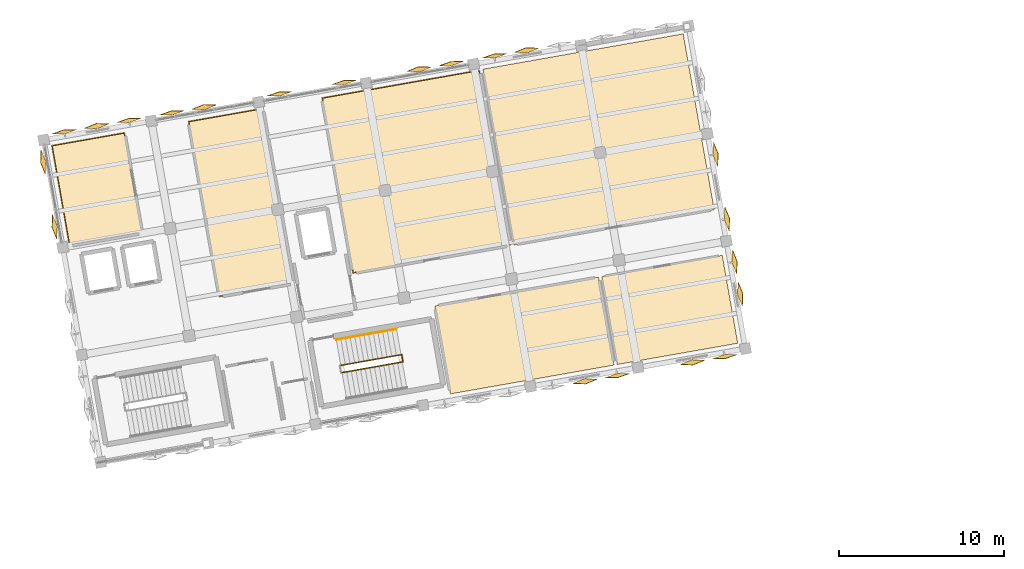
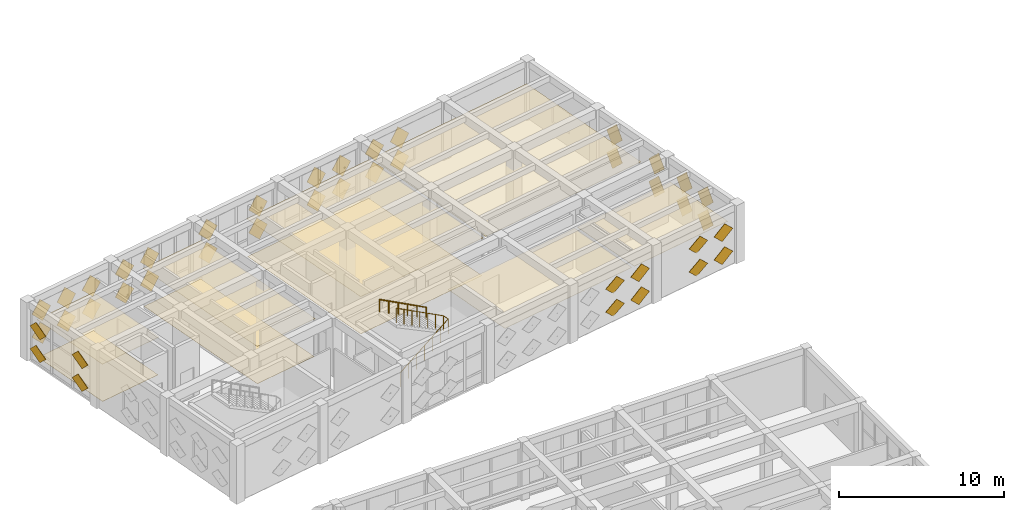
# One storey, part 46 of 48: 51 coverings, 2 railings.
"""IFC4 building model written with IfcOpenShell, lengths in metres."""

import ifcopenshell
import ifcopenshell.guid

model = None  # the IFC model being written
_history = None  # IfcOwnerHistory: only IFC2X3 demands one
_inside = {}  # id of a spatial element -> (the spatial element, [elements in it])
_under = {}  # id of a project, library or spatial element -> (it, [spatial elements below it])
_declared = {}  # id of a project -> (the project, [libraries it declares])
_typed = {}  # id of a type object -> (the type object, [elements of that type])
_made_of = {}  # id of a material, layer set ... -> (it, [elements and type objects made of it])


def new_model(schema):
    """Start an empty IFC model of exactly this schema.

    Asked for "IFC4X3", IfcOpenShell would pick the latest addendum, in which some entities
    have other attributes; the version numbers below select the first issue.
    IFC2X3 requires an IfcOwnerHistory on every rooted entity: one is made here for all.
    """
    global model, _history
    if schema == "IFC4X3":
        model = ifcopenshell.file(schema_version=(4, 3, 0, 0))
    else:
        model = ifcopenshell.file(schema=schema)
    _inside.clear()
    _under.clear()
    _declared.clear()
    _typed.clear()
    _made_of.clear()
    _history = None
    if model.schema == "IFC2X3":
        org = make("IfcOrganization", Name="unknown")
        user = make(
            "IfcPersonAndOrganization",
            ThePerson=make("IfcPerson", FamilyName="unknown"),
            TheOrganization=org,
        )
        app = make(
            "IfcApplication",
            ApplicationDeveloper=org,
            Version="unknown",
            ApplicationFullName="unknown",
            ApplicationIdentifier="unknown",
        )
        _history = make(
            "IfcOwnerHistory",
            OwningUser=user,
            OwningApplication=app,
            ChangeAction="ADDED",
            CreationDate=0,
        )
    return model


def make(cls, **values):
    """One entity of the class cls with the attributes given. An attribute that is None is left unset."""
    return model.create_entity(
        cls, **{name: value for name, value in values.items() if value is not None}
    )


def rooted(cls, **values):
    """An entity with a GlobalId (a new one), such as an element, a storey or a relation."""
    return make(cls, GlobalId=ifcopenshell.guid.new(), OwnerHistory=_history, **values)


def si_unit(unit_type, name, prefix=None):
    """IfcSIUnit, for example si_unit("LENGTHUNIT", "METRE", prefix="MILLI")."""
    return make("IfcSIUnit", UnitType=unit_type, Prefix=prefix, Name=name)


def assignment(units):
    """IfcUnitAssignment: the units of a project."""
    return None if units is None else make("IfcUnitAssignment", Units=units)


def point(xyz):
    """IfcCartesianPoint."""
    return None if xyz is None else make("IfcCartesianPoint", Coordinates=xyz)


def direction(xyz):
    """IfcDirection."""
    return None if xyz is None else make("IfcDirection", DirectionRatios=xyz)


def frame(location, z_axis=None, x_axis=None):
    """IfcAxis2Placement3D, a coordinate frame: its origin and axes. An axis left out is left unset."""
    return make(
        "IfcAxis2Placement3D",
        Location=point(location),
        Axis=direction(z_axis),
        RefDirection=direction(x_axis),
    )


def frame_2d(location, x_axis=None):
    """IfcAxis2Placement2D, a coordinate frame in the plane: its origin and x axis."""
    return make(
        "IfcAxis2Placement2D", Location=point(location), RefDirection=direction(x_axis)
    )


def origin():
    """The frame at (0, 0, 0) with its axes left unset."""
    return frame((0.0, 0.0, 0.0))


def origin_2d():
    """The frame at (0, 0) in the plane with its x axis left unset."""
    return frame_2d((0.0, 0.0))


def place(relative_to, where):
    """IfcLocalPlacement: puts the frame where relative to a parent placement (None: the world)."""
    return make(
        "IfcLocalPlacement", PlacementRelTo=relative_to, RelativePlacement=where
    )


def context(
    kind, dimensions, precision=None, world=None, true_north=None, identifier=None
):
    """IfcGeometricRepresentationContext, for example the 3D "Model" context."""
    return make(
        "IfcGeometricRepresentationContext",
        ContextIdentifier=identifier,
        ContextType=kind,
        CoordinateSpaceDimension=dimensions,
        Precision=precision,
        WorldCoordinateSystem=world,
        TrueNorth=true_north,
    )


def subcontext(parent, identifier, kind, view, scale=None):
    """IfcGeometricRepresentationSubContext, for example "Body" below "Model"."""
    return make(
        "IfcGeometricRepresentationSubContext",
        ContextIdentifier=identifier,
        ContextType=kind,
        ParentContext=parent,
        TargetScale=scale,
        TargetView=view,
    )


def project(units=None, contexts=None):
    """IfcProject with its units and contexts."""
    return rooted(
        "IfcProject",
        Name="project",
        RepresentationContexts=contexts,
        UnitsInContext=assignment(units),
    )


def spatial(cls, under=None, at=None, **own):
    """A site, building, storey or space (cls), placed at a placement, below another one or the project."""
    s = rooted(cls, ObjectPlacement=at, **own)
    if under is not None:
        _under.setdefault(under.id(), (under, []))[1].append(s)
    return s


def polyline(points):
    """IfcPolyline through the points."""
    return make("IfcPolyline", Points=[point(p) for p in points])


def profile(cls, at=None, kind="AREA", **sizes):
    """A parametric profile (cls). Its sizes go by their IFC names, for example OverallWidth=200.0."""
    return make(cls, ProfileType=kind, Position=at, **sizes)


def circle(**sizes):
    """IfcCircleProfileDef."""
    return profile("IfcCircleProfileDef", **sizes)


def outline(outer, holes=None, kind="AREA"):
    """IfcArbitraryClosedProfileDef: a profile drawn as a closed curve; with holes, ...WithVoids."""
    if holes is None:
        return make("IfcArbitraryClosedProfileDef", ProfileType=kind, OuterCurve=outer)
    return make(
        "IfcArbitraryProfileDefWithVoids",
        ProfileType=kind,
        OuterCurve=outer,
        InnerCurves=holes,
    )


def extrude(swept, where, along, depth):
    """IfcExtrudedAreaSolid: the profile swept, set in the frame where, extruded along a direction by depth."""
    return make(
        "IfcExtrudedAreaSolid",
        SweptArea=swept,
        Position=where,
        ExtrudedDirection=direction(along),
        Depth=depth,
    )


def shape(context_of_items, identifier, shape_type, items):
    """IfcShapeRepresentation: the items that make up one representation, for example the "Body"."""
    return make(
        "IfcShapeRepresentation",
        ContextOfItems=context_of_items,
        RepresentationIdentifier=identifier,
        RepresentationType=shape_type,
        Items=items,
    )


def material(Name=None, Category=None):
    """IfcMaterial."""
    return make("IfcMaterial", Name=Name, Category=Category)


def layer(
    of_material, thickness, ventilated=None, Name=None, Category=None, Priority=None
):
    """IfcMaterialLayer: one layer of a wall or slab, of a material (None: an air gap)."""
    return make(
        "IfcMaterialLayer",
        Material=of_material,
        LayerThickness=thickness,
        IsVentilated=ventilated,
        Name=Name,
        Category=Category,
        Priority=Priority,
    )


def layer_set(layers, Name=None):
    """IfcMaterialLayerSet."""
    return make("IfcMaterialLayerSet", MaterialLayers=layers, LayerSetName=Name)


def made_of(thing, what):
    """Note that an element or type object is made of a material, layer set ...; save() writes the relation."""
    if what is not None:
        _made_of.setdefault(what.id(), (what, []))[1].append(thing)
    return thing


def type_object(cls, material=None, **own):
    """A type object (cls), such as IfcWallType, which elements share."""
    return made_of(rooted(cls, **own), material)


def element(
    cls,
    number,
    at=None,
    inside=None,
    cuts=None,
    type_object=None,
    material=None,
    context=None,
    identifier="Body",
    shape_type=None,
    held_by="IfcProductDefinitionShape",
    body=None,
    shapes=None,
    **own,
):
    """One element of the class cls, such as IfcWall. Its Tag is "e" and its number.

    at: its placement. inside: the storey or other place that contains it. cuts: it is an
    opening in that element (IfcRelVoidsElement). A single representation is given by context,
    identifier, shape_type and body (its items); several are given by shapes. held_by: the class
    of the entity that holds the representations. save() writes the other relations.
    """
    e = rooted(cls, Tag="e%d" % number, ObjectPlacement=at, **own)
    if body is not None:
        shapes = [shape(context, identifier, shape_type, body)]
    if shapes is not None:
        e.Representation = make(held_by, Representations=shapes)
    if inside is not None:
        _inside.setdefault(inside.id(), (inside, []))[1].append(e)
    if cuts is not None:
        rooted(
            "IfcRelVoidsElement", RelatingBuildingElement=cuts, RelatedOpeningElement=e
        )
    if type_object is not None:
        _typed.setdefault(type_object.id(), (type_object, []))[1].append(e)
    return made_of(e, material)


def aggregate(whole, parts):
    """IfcRelAggregates: a whole, such as a stair, and the parts it consists of."""
    return rooted("IfcRelAggregates", RelatingObject=whole, RelatedObjects=parts)


def save(model, path):
    """Write the relations noted so far, then the file.

    IfcRelAggregates (storeys below a building ...), IfcRelContainedInSpatialStructure (elements
    in a storey), IfcRelDefinesByType, IfcRelAssociatesMaterial and IfcRelDeclares: one each for
    every whole, place, type object, material and project.
    """
    for whole, parts in _under.values():
        aggregate(whole, parts)
    for where, things in _inside.values():
        rooted(
            "IfcRelContainedInSpatialStructure",
            RelatedElements=things,
            RelatingStructure=where,
        )
    for kind, things in _typed.values():
        rooted("IfcRelDefinesByType", RelatedObjects=things, RelatingType=kind)
    for what, things in _made_of.values():
        rooted("IfcRelAssociatesMaterial", RelatedObjects=things, RelatingMaterial=what)
    for by, libraries in _declared.values():
        rooted("IfcRelDeclares", RelatingContext=by, RelatedDefinitions=libraries)
    model.write(path)


model = new_model("IFC4")

# Units and contexts
model_context = context("Model", 3, precision=1e-05, world=origin(), true_north=direction((0.0, 1.0)))
body_context = subcontext(model_context, "Body", "Model", "MODEL_VIEW")
ifc_project = project(units=[si_unit("LENGTHUNIT", "METRE"), si_unit("AREAUNIT", "SQUARE_METRE"), si_unit("VOLUMEUNIT", "CUBIC_METRE"), si_unit("PLANEANGLEUNIT", "RADIAN"), si_unit("MASSUNIT", "GRAM", prefix="KILO")], contexts=[model_context])

# Site, building, storey
site_placement = place(None, origin())
site = spatial("IfcSite", under=ifc_project, at=site_placement, CompositionType="ELEMENT")
building_placement = place(site_placement, origin())
building = spatial("IfcBuilding", under=site, at=building_placement, Name="Kharisveld Research Institute", CompositionType="ELEMENT")
storey_placement = place(building_placement, frame((0.0, 0.0, 14.10009765625)))
storey = spatial("IfcBuildingStorey", under=building, at=storey_placement, Name="L03", CompositionType="ELEMENT", Elevation=14.10009765625)

# Coverings
ifc_material_1 = material(Name="Mineral-Fibre Acoustic Ceiling", Category="mineral")
ifc_layer_1 = layer(ifc_material_1, 0.02490234375)
ifc_layer_set_1 = layer_set([ifc_layer_1], Name="CV_CEIL_AC")
covering_type_1 = type_object("IfcCoveringType", Name="CV_CEIL_AC", PredefinedType="CEILING", material=ifc_layer_set_1)
covering_1_placement = place(storey_placement, frame((0.0, 0.0, 2.7998046875)))
element("IfcCovering", 1, at=covering_1_placement, inside=storey, type_object=covering_type_1, Name="COV:RM:V1:L03:NW:CEIL", PredefinedType="CEILING", context=body_context, shape_type="SweptSolid", body=[
    extrude(outline(polyline([(3.3017578125, 48.078857421875), (7.7333984375, 48.8603515625), (6.65673828125, 54.966064453125), (2.22509765625, 54.184814453125), (3.3017578125, 48.078857421875)])), origin(), (0.0, 0.0, 1.0), 0.025146484375),
])
covering_2_placement = place(storey_placement, frame((0.0, 0.0, 2.7998046875)))
element("IfcCovering", 2, at=covering_2_placement, inside=storey, type_object=covering_type_1, Name="COV:RM:V1:L03:N1:CEIL", PredefinedType="CEILING", context=body_context, shape_type="SweptSolid", body=[
    extrude(outline(polyline([(12.373046875, 45.007568359375), (16.903076171875, 45.80615234375), (15.027587890625, 56.442138671875), (10.49755859375, 55.643310546875), (12.373046875, 45.007568359375)])), origin(), (0.0, 0.0, 1.0), 0.025146484375),
])
covering_3_placement = place(storey_placement, frame((0.0, 0.0, 2.7998046875)))
element("IfcCovering", 3, at=covering_3_placement, inside=storey, type_object=covering_type_1, Name="COV:RM:V1:L03:N2:CEIL", PredefinedType="CEILING", context=body_context, shape_type="SweptSolid", body=[
    extrude(outline(polyline([(20.4482421875, 46.431396484375), (30.0009765625, 48.11572265625), (28.12548828125, 58.751708984375), (18.572998046875, 57.0673828125), (20.4482421875, 46.431396484375)])), origin(), (0.0, 0.0, 1.0), 0.025146484375),
])
covering_4_placement = place(storey_placement, frame((0.0, 0.0, 2.7998046875)))
element("IfcCovering", 4, at=covering_4_placement, inside=storey, type_object=covering_type_1, Name="COV:RM:V1:L03:N3:CEIL", PredefinedType="CEILING", context=body_context, shape_type="SweptSolid", body=[
    extrude(outline(polyline([(30.197998046875, 48.150390625), (42.31103515625, 50.286376953125), (40.435791015625, 60.92236328125), (28.322509765625, 58.786376953125), (30.197998046875, 48.150390625)])), origin(), (0.0, 0.0, 1.0), 0.025146484375),
])
covering_5_placement = place(storey_placement, frame((0.0, 0.0, 2.7998046875)))
element("IfcCovering", 5, at=covering_5_placement, inside=storey, type_object=covering_type_1, Name="COV:RM:V1:L03:S1:CEIL", PredefinedType="CEILING", context=body_context, shape_type="SweptSolid", body=[
    extrude(outline(polyline([(26.35302734375, 39.14599609375), (36.25048828125, 40.89111328125), (35.312744140625, 46.209228515625), (25.41552734375, 44.464111328125), (26.35302734375, 39.14599609375)])), origin(), (0.0, 0.0, 1.0), 0.025146484375),
])
covering_6_placement = place(storey_placement, frame((0.0, 0.0, 2.7998046875)))
element("IfcCovering", 6, at=covering_6_placement, inside=storey, type_object=covering_type_1, Name="COV:RM:V1:L03:S2:CEIL", PredefinedType="CEILING", context=body_context, shape_type="SweptSolid", body=[
    extrude(outline(polyline([(36.447509765625, 40.926025390625), (43.735107421875, 42.2109375), (42.79736328125, 47.52880859375), (35.509765625, 46.243896484375), (36.447509765625, 40.926025390625)])), origin(), (0.0, 0.0, 1.0), 0.025146484375),
])
ifc_material_2 = material(Name="Seamless Chemical-Resistant Epoxy", Category="mineral")
ifc_layer_2 = layer(ifc_material_2, 0.014892578125)
ifc_layer_set_2 = layer_set([ifc_layer_2], Name="CV_FLR_EPX")
covering_type_2 = type_object("IfcCoveringType", Name="CV_FLR_EPX", PredefinedType="FLOORING", material=ifc_layer_set_2)
covering_7_placement = place(storey_placement, origin())
element("IfcCovering", 7, at=covering_7_placement, inside=storey, type_object=covering_type_2, Name="COV:RM:V1:L03:NW:FLR", PredefinedType="FLOORING", context=body_context, shape_type="SweptSolid", body=[
    extrude(outline(polyline([(3.34228515625, 48.136962890625), (7.675537109375, 48.90087890625), (6.6162109375, 54.908203125), (2.282958984375, 54.144287109375), (3.34228515625, 48.136962890625)])), origin(), (0.0, 0.0, 1.0), 0.014892578125),
])
covering_8_placement = place(storey_placement, origin())
element("IfcCovering", 8, at=covering_8_placement, inside=storey, type_object=covering_type_2, Name="COV:RM:V1:L03:N1:FLR", PredefinedType="FLOORING", context=body_context, shape_type="SweptSolid", body=[
    extrude(outline(polyline([(12.41357421875, 45.0654296875), (16.84521484375, 45.8466796875), (14.987060546875, 56.38427734375), (10.555419921875, 55.602783203125), (12.41357421875, 45.0654296875)])), origin(), (0.0, 0.0, 1.0), 0.014892578125),
])
covering_9_placement = place(storey_placement, origin())
element("IfcCovering", 9, at=covering_9_placement, inside=storey, type_object=covering_type_2, Name="COV:RM:V1:L03:N2:FLR", PredefinedType="FLOORING", context=body_context, shape_type="SweptSolid", body=[
    extrude(outline(polyline([(20.489013671875, 46.4892578125), (29.943115234375, 48.15625), (28.0849609375, 58.69384765625), (18.630859375, 57.026611328125), (20.489013671875, 46.4892578125)])), origin(), (0.0, 0.0, 1.0), 0.014892578125),
])

# Railings
ifc_material_3 = material(Name="Steel S355JR", Category="steel")
railing_type_1 = type_object("IfcRailingType", Name="RL_GRD_STR", PredefinedType="GUARDRAIL", material=ifc_material_3)
railing_1_placement = place(storey_placement, frame((19.79931640625, 40.4375, 0.0)))
element("IfcRailing", 10, at=railing_1_placement, inside=storey, type_object=railing_type_1, Name="RLG:ST2:L03:GRD_SLOT", PredefinedType="GUARDRAIL", context=body_context, shape_type="SweptSolid", body=[
    extrude(circle(Radius=0.02392578125, at=origin_2d()), frame((0.0, 0.0, 1.09619140625), z_axis=(0.844157266411, 0.148870313632, 0.515010814726), x_axis=(-0.173673761132, 0.984803241614, 0.0)), (0.0, 0.0, 1.0), 4.368896484375),
    extrude(circle(Radius=0.02392578125, at=origin_2d()), frame((3.68798828125, 0.650390625, 3.34619140625), z_axis=(-0.173658729201, 0.984805892434, 0.0), x_axis=(-0.984805892434, -0.173658729201, 0.0)), (0.0, 0.0, 1.0), 0.43994140625),
    extrude(circle(Radius=0.02392578125, at=origin_2d()), frame((3.611572265625, 1.083740234375, 3.34619140625), z_axis=(-0.844157266411, -0.148870313632, 0.515010814726), x_axis=(0.173673761132, -0.984803241614, 0.0)), (0.0, 0.0, 1.0), 4.368896484375),
    extrude(circle(Radius=0.02099609375, at=origin_2d()), origin(), (0.0, 0.0, 1.0), 1.072021484375),
    extrude(circle(Radius=0.02099609375, at=origin_2d()), frame((0.61474609375, 0.1083984375, 0.375)), (0.0, 0.0, 1.0), 1.072021484375),
    extrude(circle(Radius=0.02099609375, at=origin_2d()), frame((1.229248046875, 0.216796875, 0.75)), (0.0, 0.0, 1.0), 1.072021484375),
    extrude(circle(Radius=0.02099609375, at=origin_2d()), frame((1.843994140625, 0.3251953125, 1.125)), (0.0, 0.0, 1.0), 1.072021484375),
    extrude(circle(Radius=0.02099609375, at=origin_2d()), frame((2.458740234375, 0.43359375, 1.5)), (0.0, 0.0, 1.0), 1.072021484375),
    extrude(circle(Radius=0.02099609375, at=origin_2d()), frame((3.0732421875, 0.5419921875, 1.875)), (0.0, 0.0, 1.0), 1.072021484375),
    extrude(circle(Radius=0.02099609375, at=origin_2d()), frame((3.68798828125, 0.650390625, 2.25)), (0.0, 0.0, 1.0), 1.072021484375),
    extrude(circle(Radius=0.02099609375, at=origin_2d()), frame((3.611572265625, 1.083740234375, 2.25)), (0.0, 0.0, 1.0), 1.072021484375),
    extrude(circle(Radius=0.02099609375, at=origin_2d()), frame((2.996826171875, 0.975341796875, 2.625)), (0.0, 0.0, 1.0), 1.072021484375),
    extrude(circle(Radius=0.02099609375, at=origin_2d()), frame((2.38232421875, 0.866943359375, 3.0)), (0.0, 0.0, 1.0), 1.072021484375),
    extrude(circle(Radius=0.02099609375, at=origin_2d()), frame((1.767578125, 0.758544921875, 3.375)), (0.0, 0.0, 1.0), 1.072021484375),
    extrude(circle(Radius=0.02099609375, at=origin_2d()), frame((1.15283203125, 0.650146484375, 3.75)), (0.0, 0.0, 1.0), 1.072021484375),
    extrude(circle(Radius=0.02099609375, at=origin_2d()), frame((0.538330078125, 0.541748046875, 4.125)), (0.0, 0.0, 1.0), 1.072021484375),
    extrude(circle(Radius=0.02099609375, at=origin_2d()), frame((-0.076416015625, 0.433349609375, 4.5)), (0.0, 0.0, 1.0), 1.072021484375),
])
ifc_material_4 = material(Name="Stainless Steel 316", Category="steel")
railing_type_2 = type_object("IfcRailingType", Name="RL_HND_STR", PredefinedType="HANDRAIL", material=ifc_material_4)
railing_2_placement = place(storey_placement, frame((23.09716796875, 43.0703125, 2.25)))
element("IfcRailing", 11, at=railing_2_placement, inside=storey, type_object=railing_type_2, Name="RLG:ST2:L03:HR2", PredefinedType="HANDRAIL", context=body_context, shape_type="SweptSolid", body=[
    extrude(circle(Radius=0.02392578125, at=origin_2d()), frame((0.0, 0.0, 0.89599609375), z_axis=(-0.841746897377, -0.148411045473, 0.519072559801), x_axis=(0.173634966033, -0.984810082488, 0.0)), (0.0, 0.0, 1.0), 4.334716796875),
    extrude(circle(Radius=0.02099609375, at=origin_2d()), origin(), (0.0, 0.0, 1.0), 0.871826171875),
    extrude(circle(Radius=0.02099609375, at=origin_2d()), frame((-0.729736328125, -0.128662109375, 0.449951171875)), (0.0, 0.0, 1.0), 0.871826171875),
    extrude(circle(Radius=0.02099609375, at=origin_2d()), frame((-1.45947265625, -0.25732421875, 0.89990234375)), (0.0, 0.0, 1.0), 0.871826171875),
    extrude(circle(Radius=0.02099609375, at=origin_2d()), frame((-2.189208984375, -0.385986328125, 1.35009765625)), (0.0, 0.0, 1.0), 0.871826171875),
    extrude(circle(Radius=0.02099609375, at=origin_2d()), frame((-2.9189453125, -0.5146484375, 1.800048828125)), (0.0, 0.0, 1.0), 0.871826171875),
    extrude(circle(Radius=0.02099609375, at=origin_2d()), frame((-3.648681640625, -0.643310546875, 2.25)), (0.0, 0.0, 1.0), 0.871826171875),
])

# Coverings
ifc_material_5 = material(Name="White Powder-Coated Perforated Aluminium", Category="aluminium")
covering_type_3 = type_object("IfcCoveringType", Name="CV_DIA_105", PredefinedType="CLADDING")
for number, where, z_axis, x_axis, name in (
    (12, (2.58203125, 49.28564453125, 0.324951171875), (0.961442649282, 0.16952470156, 0.216539621552), (-0.273578570302, 0.66970617229, 0.690397283213), "SHD:V1:L03:W2:S0C0"),
    (13, (2.58203125, 49.28564453125, 2.025146484375), (0.961442649282, 0.16952470156, 0.216539621552), (-0.273578570302, 0.66970617229, 0.690397283213), "SHD:V1:L03:W2:S0C1"),
):
    element("IfcCovering", number, at=place(storey_placement, frame(where, z_axis=z_axis, x_axis=x_axis)), inside=storey, type_object=covering_type_3, material=ifc_material_5, Name=name, PredefinedType="CLADDING", context=body_context, shape_type="SweptSolid", body=[
        extrude(outline(polyline([(0.0, 0.0), (1.0498710226392558, 0.0), (1.0500604882684064, 1.0499603061510638), (0.00012267398601040203, 1.0499534754558235), (0.0, 0.0)])), origin(), (0.0, 0.0, -1.0), 0.02392578125),
    ])
for number, where, z_axis, x_axis, name in (
    (14, (1.89208984375, 53.198486328125, 0.324951171875), (0.961425979727, 0.169653966706, 0.216512394765), (-0.27364360613, 0.669810730042, 0.69027006508), "SHD:V1:L03:W2:S2C0"),
    (15, (1.89208984375, 53.198486328125, 2.025146484375), (0.961425979727, 0.169653966706, 0.216512394765), (-0.27364360613, 0.669810730042, 0.69027006508), "SHD:V1:L03:W2:S2C1"),
):
    element("IfcCovering", number, at=place(storey_placement, frame(where, z_axis=z_axis, x_axis=x_axis)), inside=storey, type_object=covering_type_3, material=ifc_material_5, Name=name, PredefinedType="CLADDING", context=body_context, shape_type="SweptSolid", body=[
        extrude(outline(polyline([(0.0, 0.0), (1.0501013332243323, 1.1102230246251565e-16), (1.050054335240126, 1.049953488129867), (-4.699798420648715e-05, 1.049953488129867), (0.0, 0.0)])), origin(), (0.0, 0.0, -1.0), 0.02392578125),
    ])
covering_10_placement = place(storey_placement, frame((3.03125, 54.87255859375, 0.317626953125), z_axis=(0.171391321025, -0.971271535422, 0.16509578903), x_axis=(0.676154491616, 0.237843352225, 0.697313160116)))
element("IfcCovering", 16, at=covering_10_placement, inside=storey, type_object=covering_type_3, material=ifc_material_5, Name="SHD:V1:L03:N0:S0C0", PredefinedType="CLADDING", context=body_context, shape_type="SweptSolid", body=[
    extrude(outline(polyline([(0.0, 0.0), (1.050003217317155, -1.1102230246251565e-16), (1.0499897073592166, 1.0500851275961767), (-0.00018375242866985886, 1.0499148410000858), (0.0, 0.0)])), origin(), (0.0, 0.0, -1.0), 0.02392578125),
])
covering_11_placement = place(storey_placement, frame((3.03125, 54.87255859375, 2.017578125), z_axis=(0.171391321025, -0.971271535422, 0.16509578903), x_axis=(0.676038293912, 0.237842070836, 0.697426250226)))
element("IfcCovering", 17, at=covering_11_placement, inside=storey, type_object=covering_type_3, material=ifc_material_5, Name="SHD:V1:L03:N0:S0C1", PredefinedType="CLADDING", context=body_context, shape_type="SweptSolid", body=[
    extrude(outline(polyline([(0.0, 0.0), (1.0501734735939505, -1.1102230246251565e-16), (1.0501599658262741, 1.049914856993047), (0.00015676231294525778, 1.0500851159819262), (0.0, 0.0)])), origin(), (0.0, 0.0, -1.0), 0.02392578125),
])
for number, where, z_axis, x_axis, name in (
    (18, (4.994384765625, 55.179931640625, 0.324951171875), (0.169497253476, -0.961447488939, 0.216539620108), (0.669826337005, 0.273555095257, 0.690290002907), "SHD:V1:L03:N0:S1C0"),
    (19, (4.994384765625, 55.179931640625, 2.025146484375), (0.169497253476, -0.961447488939, 0.216539620108), (0.669826337005, 0.273555095257, 0.690290002907), "SHD:V1:L03:N0:S1C1"),
):
    element("IfcCovering", number, at=place(storey_placement, frame(where, z_axis=z_axis, x_axis=x_axis)), inside=storey, type_object=covering_type_3, material=ifc_material_5, Name=name, PredefinedType="CLADDING", context=body_context, shape_type="SweptSolid", body=[
        extrude(outline(polyline([(0.0, 0.0), (1.0501013287743868, 0.0), (1.0498908116789152, 1.0501299715118642), (1.9800637014233402e-05, 1.0499603251677767), (0.0, 0.0)])), origin(), (0.0, 0.0, -1.0), 0.02392578125),
    ])
covering_12_placement = place(storey_placement, frame((6.9443359375, 55.5625, 0.317626953125), z_axis=(0.171260983897, -0.971289803558, 0.165123568578), x_axis=(0.676047594671, 0.237771051008, 0.69744145062)))
element("IfcCovering", 20, at=covering_12_placement, inside=storey, type_object=covering_type_3, material=ifc_material_5, Name="SHD:V1:L03:N0:S2C0", PredefinedType="CLADDING", context=body_context, shape_type="SweptSolid", body=[
    extrude(outline(polyline([(0.0, 0.0), (1.0498381477776833, -1.1102230246251565e-16), (1.0499996344353992, 1.0500851062964023), (4.926243906100414e-05, 1.0499129451252003), (0.0, 0.0)])), origin(), (0.0, 0.0, -1.0), 0.02392578125),
])
covering_13_placement = place(storey_placement, frame((6.9443359375, 55.5625, 2.017578125), z_axis=(0.171260983897, -0.971289803558, 0.165123568578), x_axis=(0.67593137977, 0.237769781024, 0.697554514769)))
element("IfcCovering", 21, at=covering_13_placement, inside=storey, type_object=covering_type_3, material=ifc_material_5, Name="SHD:V1:L03:N0:S2C1", PredefinedType="CLADDING", context=body_context, shape_type="SweptSolid", body=[
    extrude(outline(polyline([(0.0, 0.0), (1.0500084353722339, -1.1102230246251565e-16), (1.0501698867361986, 1.0499148402477598), (0.00038980202211746917, 1.050083149396377), (0.0, 0.0)])), origin(), (0.0, 0.0, -1.0), 0.02392578125),
])
covering_14_placement = place(storey_placement, frame((9.531005859375, 56.018798828125, 0.317626953125), z_axis=(0.171238636855, -0.971325222312, 0.164938296792), x_axis=(0.676191865964, 0.23762399085, 0.697351704219)))
element("IfcCovering", 22, at=covering_14_placement, inside=storey, type_object=covering_type_3, material=ifc_material_5, Name="SHD:V1:L03:N1:S0C0", PredefinedType="CLADDING", context=body_context, shape_type="SweptSolid", body=[
    extrude(outline(polyline([(0.0, 0.0), (1.0499451723202433, -1.1102230246251565e-16), (1.0499335917706356, 1.0500851276195962), (-0.00018183243052050102, 1.0499148413347306), (0.0, 0.0)])), origin(), (0.0, 0.0, -1.0), 0.02392578125),
])
covering_15_placement = place(storey_placement, frame((9.531005859375, 56.018798828125, 2.017578125), z_axis=(0.171238636855, -0.971325222312, 0.164938296792), x_axis=(0.676075661849, 0.237622709321, 0.697464800165)))
element("IfcCovering", 23, at=covering_15_placement, inside=storey, type_object=covering_type_3, material=ifc_material_5, Name="SHD:V1:L03:N1:S0C1", PredefinedType="CLADDING", context=body_context, shape_type="SweptSolid", body=[
    extrude(outline(polyline([(0.0, 0.0), (1.050115438007933, 0.0), (1.0501038593359955, 1.049914857016463), (0.00015870082029023624, 1.050085115691115), (0.0, 0.0)])), origin(), (0.0, 0.0, -1.0), 0.02392578125),
])
for number, where, z_axis, x_axis, name in (
    (24, (11.494140625, 56.326171875, 0.324951171875), (0.169503194288, -0.961481187298, 0.216385289699), (0.669849989418, 0.273447448775, 0.690309701826), "SHD:V1:L03:N1:S1C0"),
    (25, (11.494140625, 56.326171875, 2.025146484375), (0.169503194288, -0.961481187298, 0.216385289699), (0.669849989418, 0.273447448775, 0.690309701826), "SHD:V1:L03:N1:S1C1"),
):
    element("IfcCovering", number, at=place(storey_placement, frame(where, z_axis=z_axis, x_axis=x_axis)), inside=storey, type_object=covering_type_3, material=ifc_material_5, Name=name, PredefinedType="CLADDING", context=body_context, shape_type="SweptSolid", body=[
        extrude(outline(polyline([(0.0, 0.0), (1.0500345517563856, -1.1102230246251565e-16), (1.0498172010450848, 1.0501299743656882), (-5.381311622809637e-05, 1.0499534875988095), (0.0, 0.0)])), origin(), (0.0, 0.0, -1.0), 0.02392578125),
    ])
covering_16_placement = place(storey_placement, frame((16.03076171875, 57.164794921875, 0.317626953125), z_axis=(0.171234061711, -0.9712992705, 0.165095800177), x_axis=(0.676172534966, 0.237733660148, 0.69733306948)))
element("IfcCovering", 26, at=covering_16_placement, inside=storey, type_object=covering_type_3, material=ifc_material_5, Name="SHD:V1:L03:N2:S0C0", PredefinedType="CLADDING", context=body_context, shape_type="SweptSolid", body=[
    extrude(outline(polyline([(0.0, 0.0), (1.049945167901042, 2.220446049250313e-16), (1.0499916144071415, 1.0500832207180806), (-0.0001818412696886762, 1.0499148369138707), (0.0, 0.0)])), origin(), (0.0, 0.0, -1.0), 0.02392578125),
])
covering_17_placement = place(storey_placement, frame((16.03076171875, 57.164794921875, 2.017578125), z_axis=(0.171234061711, -0.9712992705, 0.165095800177), x_axis=(0.67605633082, 0.237732396439, 0.697446159385)))
element("IfcCovering", 27, at=covering_17_placement, inside=storey, type_object=covering_type_3, material=ifc_material_5, Name="SHD:V1:L03:N2:S0C1", PredefinedType="CLADDING", context=body_context, shape_type="SweptSolid", body=[
    extrude(outline(polyline([(0.0, 0.0), (1.050115429038497, -1.1102230246251565e-16), (1.0501618771158647, 1.0499129452537745), (0.00015868288277420817, 1.050085106724131), (0.0, 0.0)])), origin(), (0.0, 0.0, -1.0), 0.02392578125),
])
covering_18_placement = place(storey_placement, frame((19.943603515625, 57.854736328125, 0.317626953125), z_axis=(0.171234061711, -0.9712992705, 0.165095800177), x_axis=(0.676172534966, 0.237733660148, 0.69733306948)))
element("IfcCovering", 28, at=covering_18_placement, inside=storey, type_object=covering_type_3, material=ifc_material_5, Name="SHD:V1:L03:N2:S2C0", PredefinedType="CLADDING", context=body_context, shape_type="SweptSolid", body=[
    extrude(outline(polyline([(0.0, 0.0), (1.049945167901042, 2.220446049250313e-16), (1.0499916144071415, 1.0500832207180806), (-0.0001818412696886762, 1.0499148369138707), (0.0, 0.0)])), origin(), (0.0, 0.0, -1.0), 0.02392578125),
])
covering_19_placement = place(storey_placement, frame((19.943603515625, 57.854736328125, 2.017578125), z_axis=(0.171234061711, -0.9712992705, 0.165095800177), x_axis=(0.67605633082, 0.237732396439, 0.697446159385)))
element("IfcCovering", 29, at=covering_19_placement, inside=storey, type_object=covering_type_3, material=ifc_material_5, Name="SHD:V1:L03:N2:S2C1", PredefinedType="CLADDING", context=body_context, shape_type="SweptSolid", body=[
    extrude(outline(polyline([(0.0, 0.0), (1.050115429038497, -1.1102230246251565e-16), (1.0501618771158647, 1.0499129452537745), (0.00015868288277420817, 1.050085106724131), (0.0, 0.0)])), origin(), (0.0, 0.0, -1.0), 0.02392578125),
])
for number, where, z_axis, x_axis, name in (
    (30, (24.49365234375, 58.6181640625, 0.324951171875), (0.169497253476, -0.961447488939, 0.216539620108), (0.669704807286, 0.273559805143, 0.690406042925), "SHD:V1:L03:N3:S1C0"),
    (31, (24.49365234375, 58.6181640625, 2.025146484375), (0.169497253476, -0.961447488939, 0.216539620108), (0.669704807286, 0.273559805143, 0.690406042925), "SHD:V1:L03:N3:S1C1"),
):
    element("IfcCovering", number, at=place(storey_placement, frame(where, z_axis=z_axis, x_axis=x_axis)), inside=storey, type_object=covering_type_3, material=ifc_material_5, Name=name, PredefinedType="CLADDING", context=body_context, shape_type="SweptSolid", body=[
        extrude(outline(polyline([(0.0, 0.0), (1.0499378117878446, 0.0), (1.0500673216048337, 1.0499534721181558), (3.2794728575202825e-05, 1.0501368269494782), (0.0, 0.0)])), origin(), (0.0, 0.0, -1.0), 0.02392578125),
    ])
covering_20_placement = place(storey_placement, frame((26.443359375, 59.000732421875, 0.317626953125), z_axis=(0.171234061711, -0.9712992705, 0.165095800177), x_axis=(0.676173830196, 0.2377336742, 0.697331808761)))
element("IfcCovering", 32, at=covering_20_placement, inside=storey, type_object=covering_type_3, material=ifc_material_5, Name="SHD:V1:L03:N3:S2C0", PredefinedType="CLADDING", context=body_context, shape_type="SweptSolid", body=[
    extrude(outline(polyline([(0.0, 0.0), (1.0500032083471293, -1.1102230246251565e-16), (1.0499897163291267, 1.0500851186270816), (-0.00012569859382338677, 1.049912938756706), (0.0, 0.0)])), origin(), (0.0, 0.0, -1.0), 0.02392578125),
])
covering_21_placement = place(storey_placement, frame((26.443359375, 59.000732421875, 2.017578125), z_axis=(0.171234061711, -0.9712992705, 0.165095800177), x_axis=(0.676057632461, 0.237732410628, 0.697444892825)))
element("IfcCovering", 33, at=covering_21_placement, inside=storey, type_object=covering_type_3, material=ifc_material_5, Name="SHD:V1:L03:N3:S2C1", PredefinedType="CLADDING", context=body_context, shape_type="SweptSolid", body=[
    extrude(outline(polyline([(0.0, 0.0), (1.050173469176079, 1.1102230246251565e-16), (1.0501599702440891, 1.049914852574201), (0.0002148158393612265, 1.050083199772804), (0.0, 0.0)])), origin(), (0.0, 0.0, -1.0), 0.02392578125),
])
covering_22_placement = place(storey_placement, frame((29.0302734375, 59.45703125, 0.317626953125), z_axis=(0.171265560486, -0.971315759231, 0.164966068212), x_axis=(0.676065629319, 0.237661352405, 0.697461358375)))
element("IfcCovering", 34, at=covering_22_placement, inside=storey, type_object=covering_type_3, material=ifc_material_5, Name="SHD:V1:L03:N4:S0C0", PredefinedType="CLADDING", context=body_context, shape_type="SweptSolid", body=[
    extrude(outline(polyline([(0.0, 0.0), (1.0497801026258213, 1.1102230246251565e-16), (1.0499435107269577, 1.0500851149690817), (-6.87055081072252e-06, 1.049914857057764), (0.0, 0.0)])), origin(), (0.0, 0.0, -1.0), 0.02392578125),
])
covering_23_placement = place(storey_placement, frame((29.0302734375, 59.45703125, 2.017578125), z_axis=(0.171265560486, -0.971315759231, 0.164966068212), x_axis=(0.675949408035, 0.237660064466, 0.697574434405)))
element("IfcCovering", 35, at=covering_23_placement, inside=storey, type_object=covering_type_3, material=ifc_material_5, Name="SHD:V1:L03:N4:S0C1", PredefinedType="CLADDING", context=body_context, shape_type="SweptSolid", body=[
    extrude(outline(polyline([(0.0, 0.0), (1.049950395082114, 0.0), (1.0501137766799347, 1.0499148443680004), (0.00033368785622012176, 1.050085074665025), (0.0, 0.0)])), origin(), (0.0, 0.0, -1.0), 0.02392578125),
])
for number, where, z_axis, x_axis, name in (
    (36, (30.993408203125, 59.764404296875, 0.324951171875), (0.169503194288, -0.961481187298, 0.216385289699), (0.669728459805, 0.273452141042, 0.690425750307), "SHD:V1:L03:N4:S1C0"),
    (37, (30.993408203125, 59.764404296875, 2.025146484375), (0.169503194288, -0.961481187298, 0.216385289699), (0.669728459805, 0.273452141042, 0.690425750307), "SHD:V1:L03:N4:S1C1"),
):
    element("IfcCovering", number, at=place(storey_placement, frame(where, z_axis=z_axis, x_axis=x_axis)), inside=storey, type_object=covering_type_3, material=ifc_material_5, Name=name, PredefinedType="CLADDING", context=body_context, shape_type="SweptSolid", body=[
        extrude(outline(polyline([(0.0, 0.0), (1.0498710289953155, -1.1102230246251565e-16), (1.0499937165082887, 1.0499534818098035), (-4.082041178410378e-05, 1.0501299960653954), (0.0, 0.0)])), origin(), (0.0, 0.0, -1.0), 0.02392578125),
    ])
for number, where, z_axis, x_axis, name in (
    (38, (42.232177734375, 53.60986328125, 0.324951171875), (-0.961487125864, -0.169504241221, 0.216358080518), (0.27342850239, -0.669853329409, 0.690313965642), "SHD:V1:L03:E2:S0C0"),
    (39, (42.232177734375, 53.60986328125, 2.025146484375), (-0.961487125864, -0.169504241221, 0.216358080518), (0.27342850239, -0.669853329409, 0.690313965642), "SHD:V1:L03:E2:S0C1"),
):
    element("IfcCovering", number, at=place(storey_placement, frame(where, z_axis=z_axis, x_axis=x_axis)), inside=storey, type_object=covering_type_3, material=ifc_material_5, Name=name, PredefinedType="CLADDING", context=body_context, shape_type="SweptSolid", body=[
        extrude(outline(polyline([(0.0, 0.0), (1.0500345519602505, 0.0), (1.0499807392517624, 1.0499534878027108), (-5.381270848814346e-05, 1.049953487802711), (0.0, 0.0)])), origin(), (0.0, 0.0, -1.0), 0.02392578125),
    ])
for number, where, z_axis, x_axis, name in (
    (40, (42.922119140625, 49.69677734375, 0.324951171875), (-0.961476347302, -0.169530643305, 0.21638529192), (0.273471090272, -0.669725119033, 0.690421485559), "SHD:V1:L03:E2:S2C0"),
    (41, (42.922119140625, 49.69677734375, 2.025146484375), (-0.961476347302, -0.169530643305, 0.21638529192), (0.273471090272, -0.669725119033, 0.690421485559), "SHD:V1:L03:E2:S2C1"),
):
    element("IfcCovering", number, at=place(storey_placement, frame(where, z_axis=z_axis, x_axis=x_axis)), inside=storey, type_object=covering_type_3, material=ifc_material_5, Name=name, PredefinedType="CLADDING", context=body_context, shape_type="SweptSolid", body=[
        extrude(outline(polyline([(0.0, 0.0), (1.0498710291992122, 0.0), (1.0499937163043682, 1.0499534820137317), (0.00012268710515594972, 1.049953482013732), (0.0, 0.0)])), origin(), (0.0, 0.0, -1.0), 0.02392578125),
    ])
for number, where, z_axis, x_axis, name in (
    (42, (43.378173828125, 47.110107421875, 0.324951171875), (-0.961487125864, -0.169504241221, 0.216358080518), (0.27342850239, -0.669853329409, 0.690313965642), "SHD:V1:L03:E1:S0C0"),
    (43, (43.378173828125, 47.110107421875, 2.025146484375), (-0.961487125864, -0.169504241221, 0.216358080518), (0.27342850239, -0.669853329409, 0.690313965642), "SHD:V1:L03:E1:S0C1"),
):
    element("IfcCovering", number, at=place(storey_placement, frame(where, z_axis=z_axis, x_axis=x_axis)), inside=storey, type_object=covering_type_3, material=ifc_material_5, Name=name, PredefinedType="CLADDING", context=body_context, shape_type="SweptSolid", body=[
        extrude(outline(polyline([(0.0, 0.0), (1.0500345519602505, 0.0), (1.0499807392517624, 1.0499534878027108), (-5.381270848814346e-05, 1.049953487802711), (0.0, 0.0)])), origin(), (0.0, 0.0, -1.0), 0.02392578125),
    ])
for number, where, z_axis, x_axis, name in (
    (44, (43.72314453125, 45.153564453125, 0.324951171875), (-0.961481187298, -0.169503194288, 0.216385289699), (0.273447448775, -0.669849989418, 0.690309701826), "SHD:V1:L03:E1:S1C0"),
    (45, (43.72314453125, 45.153564453125, 2.025146484375), (-0.961481187298, -0.169503194288, 0.216385289699), (0.273447448775, -0.669849989418, 0.690309701826), "SHD:V1:L03:E1:S1C1"),
):
    element("IfcCovering", number, at=place(storey_placement, frame(where, z_axis=z_axis, x_axis=x_axis)), inside=storey, type_object=covering_type_3, material=ifc_material_5, Name=name, PredefinedType="CLADDING", context=body_context, shape_type="SweptSolid", body=[
        extrude(outline(polyline([(0.0, 0.0), (1.0500345517563856, -1.1102230246251565e-16), (1.0498172010450848, 1.0501299743656882), (-5.381311622809637e-05, 1.0499534875988095), (0.0, 0.0)])), origin(), (0.0, 0.0, -1.0), 0.02392578125),
    ])
covering_24_placement = place(storey_placement, frame((42.928955078125, 41.52294921875, 0.317626953125), z_axis=(-0.171238636855, 0.971325222312, 0.164938296792), x_axis=(-0.676191865964, -0.23762399085, 0.697351704219)))
element("IfcCovering", 46, at=covering_24_placement, inside=storey, type_object=covering_type_3, material=ifc_material_5, Name="SHD:V1:L03:S6:S0C0", PredefinedType="CLADDING", context=body_context, shape_type="SweptSolid", body=[
    extrude(outline(polyline([(0.0, 0.0), (1.0499451723202433, -1.1102230246251565e-16), (1.0499335917706356, 1.0500851276195962), (-0.00018183243052050102, 1.0499148413347306), (0.0, 0.0)])), origin(), (0.0, 0.0, -1.0), 0.02392578125),
])
covering_25_placement = place(storey_placement, frame((42.928955078125, 41.52294921875, 2.017578125), z_axis=(-0.171238636855, 0.971325222312, 0.164938296792), x_axis=(-0.676075661849, -0.237622709321, 0.697464800165)))
element("IfcCovering", 47, at=covering_25_placement, inside=storey, type_object=covering_type_3, material=ifc_material_5, Name="SHD:V1:L03:S6:S0C1", PredefinedType="CLADDING", context=body_context, shape_type="SweptSolid", body=[
    extrude(outline(polyline([(0.0, 0.0), (1.050115438007933, 0.0), (1.0501038593359955, 1.049914857016463), (0.00015870082029023624, 1.050085115691115), (0.0, 0.0)])), origin(), (0.0, 0.0, -1.0), 0.02392578125),
])
for number, where, z_axis, x_axis, name in (
    (48, (40.9658203125, 41.215576171875, 0.324951171875), (-0.169504241221, 0.961487125864, 0.216358080518), (-0.669853329409, -0.27342850239, 0.690313965642), "SHD:V1:L03:S6:S1C0"),
    (49, (40.9658203125, 41.215576171875, 2.025146484375), (-0.169504241221, 0.961487125864, 0.216358080518), (-0.669853329409, -0.27342850239, 0.690313965642), "SHD:V1:L03:S6:S1C1"),
):
    element("IfcCovering", number, at=place(storey_placement, frame(where, z_axis=z_axis, x_axis=x_axis)), inside=storey, type_object=covering_type_3, material=ifc_material_5, Name=name, PredefinedType="CLADDING", context=body_context, shape_type="SweptSolid", body=[
        extrude(outline(polyline([(0.0, 0.0), (1.0500345519602505, 0.0), (1.0499807392517624, 1.0499534878027108), (-5.381270848814346e-05, 1.049953487802711), (0.0, 0.0)])), origin(), (0.0, 0.0, -1.0), 0.02392578125),
    ])
covering_26_placement = place(storey_placement, frame((36.42919921875, 40.376953125, 0.317626953125), z_axis=(-0.171234061711, 0.9712992705, 0.165095800177), x_axis=(-0.676172534966, -0.237733660148, 0.69733306948)))
element("IfcCovering", 50, at=covering_26_placement, inside=storey, type_object=covering_type_3, material=ifc_material_5, Name="SHD:V1:L03:S5:S0C0", PredefinedType="CLADDING", context=body_context, shape_type="SweptSolid", body=[
    extrude(outline(polyline([(0.0, 0.0), (1.049945167901042, 2.220446049250313e-16), (1.0499916144071415, 1.0500832207180806), (-0.0001818412696886762, 1.0499148369138707), (0.0, 0.0)])), origin(), (0.0, 0.0, -1.0), 0.02392578125),
])
covering_27_placement = place(storey_placement, frame((36.42919921875, 40.376953125, 2.017578125), z_axis=(-0.171234061711, 0.9712992705, 0.165095800177), x_axis=(-0.67605633082, -0.237732396439, 0.697446159385)))
element("IfcCovering", 51, at=covering_27_placement, inside=storey, type_object=covering_type_3, material=ifc_material_5, Name="SHD:V1:L03:S5:S0C1", PredefinedType="CLADDING", context=body_context, shape_type="SweptSolid", body=[
    extrude(outline(polyline([(0.0, 0.0), (1.050115429038497, -1.1102230246251565e-16), (1.0501618771158647, 1.0499129452537745), (0.00015868288277420817, 1.050085106724131), (0.0, 0.0)])), origin(), (0.0, 0.0, -1.0), 0.02392578125),
])
for number, where, z_axis, x_axis, name in (
    (52, (34.466064453125, 40.069580078125, 0.324951171875), (-0.169498301082, 0.961453431325, 0.216512413788), (-0.669834388355, -0.273535968092, 0.690289769834), "SHD:V1:L03:S5:S1C0"),
    (53, (34.466064453125, 40.069580078125, 2.025146484375), (-0.169498301082, 0.961453431325, 0.216512413788), (-0.669834388355, -0.273535968092, 0.690289769834), "SHD:V1:L03:S5:S1C1"),
):
    element("IfcCovering", number, at=place(storey_placement, frame(where, z_axis=z_axis, x_axis=x_axis)), inside=storey, type_object=covering_type_3, material=ifc_material_5, Name=name, PredefinedType="CLADDING", context=body_context, shape_type="SweptSolid", body=[
        extrude(outline(polyline([(0.0, 0.0), (1.0500345454011688, 0.0), (1.0500475008163912, 1.049960323165551), (-5.3825826987430325e-05, 1.0499534812424507), (0.0, 0.0)])), origin(), (0.0, 0.0, -1.0), 0.02392578125),
    ])

save(model, "model.ifc")
